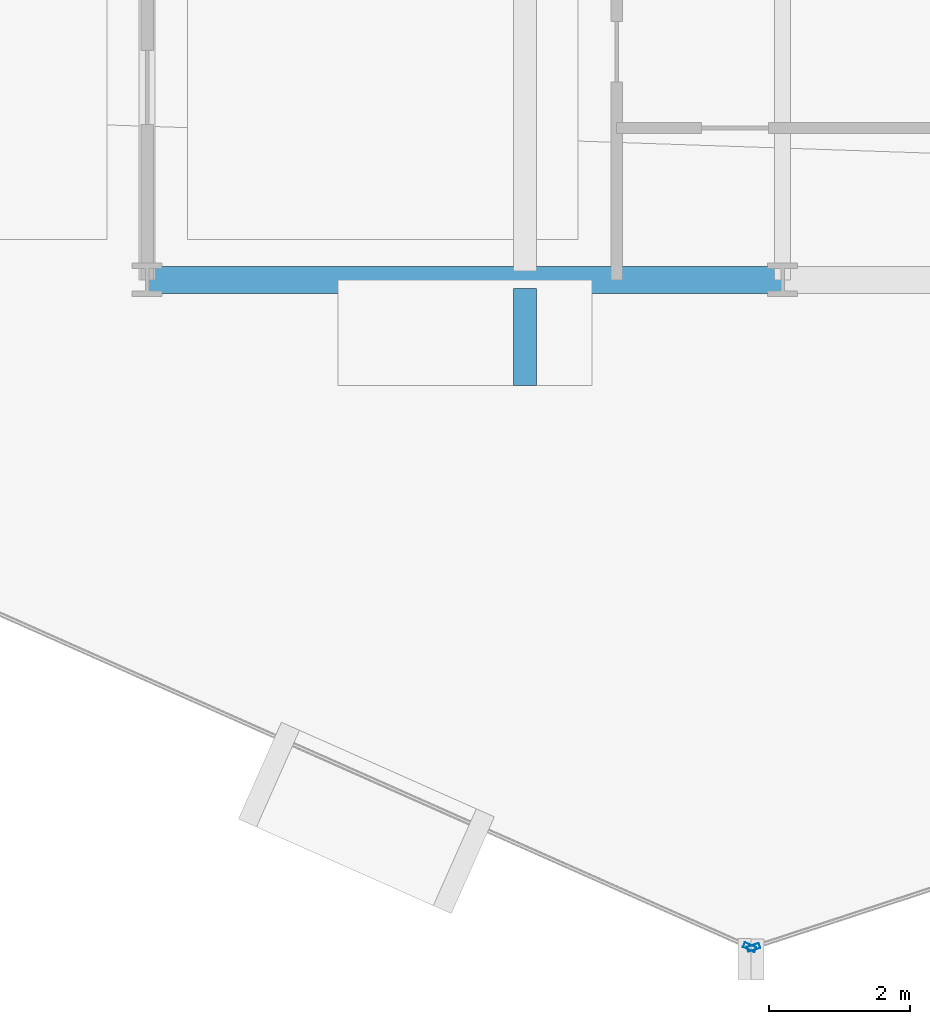
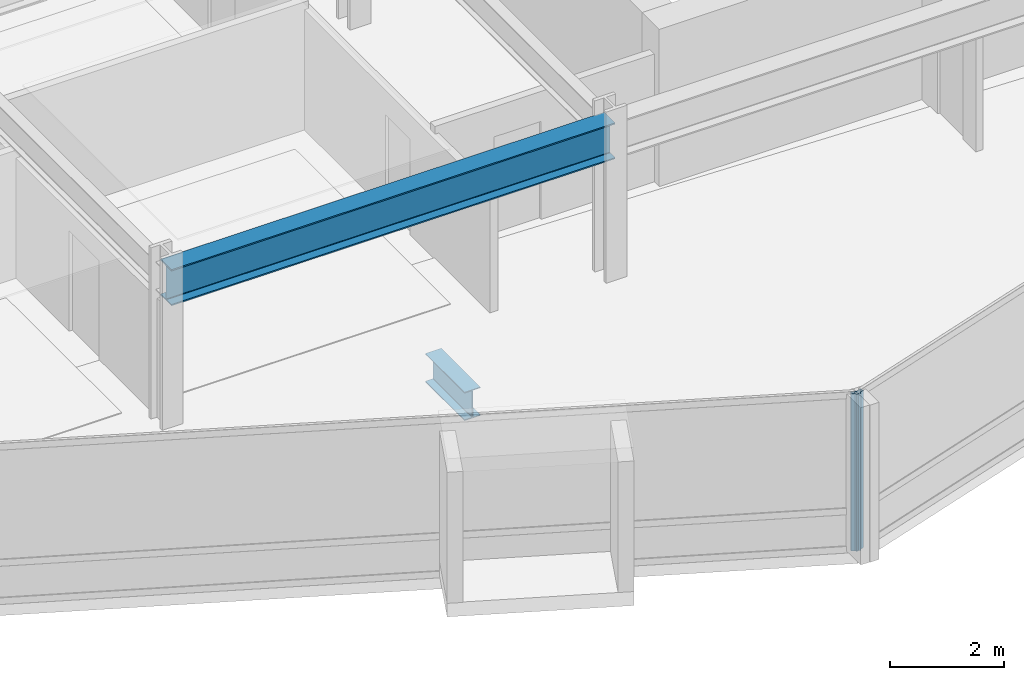
# One storey, part 4 of 35: 2 beams, 2 members, 2 elements without a shape of their own.
"""IFC4 building model written with IfcOpenShell, lengths in metres."""

from ifc_helpers import new_model, si_unit, direction, frame, origin, origin_2d, place, context, subcontext, project, spatial, hollow_rectangle, i_section, extrude, material, layer, layer_set, material_profile, profile_set, type_object, element, aggregate, save


model = new_model("IFC4")

# Units and contexts
model_context = context("Model", 3, precision=1e-05, world=origin(), true_north=direction((0.0, 1.0)))
body_context = subcontext(model_context, "Body", "Model", "MODEL_VIEW")
ifc_project = project(units=[si_unit("LENGTHUNIT", "METRE"), si_unit("AREAUNIT", "SQUARE_METRE"), si_unit("VOLUMEUNIT", "CUBIC_METRE"), si_unit("PLANEANGLEUNIT", "RADIAN"), si_unit("MASSUNIT", "GRAM", prefix="KILO")], contexts=[model_context])

# Site, building, storey
site_placement = place(None, origin())
site = spatial("IfcSite", under=ifc_project, at=site_placement, CompositionType="ELEMENT")
building_placement = place(site_placement, origin())
building = spatial("IfcBuilding", under=site, at=building_placement, Name="Solvaryn Broadcast Tower", CompositionType="ELEMENT")
storey_placement = place(building_placement, frame((0.0, 0.0, 80.39990234375)))
storey = spatial("IfcBuildingStorey", under=building, at=storey_placement, Name="L19", CompositionType="ELEMENT", Elevation=80.39990234375)

# Beams
ifc_material_1 = material(Name="Steel ASTM A992 Grade 50", Category="steel")
ifc_material_profile_1 = material_profile(ifc_material_1, i_section(OverallWidth=0.323974609375, OverallDepth=0.611083984375, WebThickness=0.0126953125, FlangeThickness=0.01904296875, FilletRadius=0.014892578125, at=origin_2d()))
ifc_profile_set_1 = profile_set([ifc_material_profile_1], Name="Steel ASTM A992 Grade 50")
beam_type_1 = type_object("IfcBeamType", Name="BM-CANT-TER", PredefinedType="BEAM", material=ifc_profile_set_1)
beam_1_placement = place(storey_placement, frame((23.35009765625, 8.875, -0.58544921875), z_axis=(0.0, -1.0, 0.0), x_axis=(1.0, 0.0, 0.0)))
element("IfcBeam", 1, at=beam_1_placement, inside=storey, type_object=beam_type_1, Name="L19 Bay-Box Cantilever Bracket 1", PredefinedType="BEAM", context=body_context, shape_type="SweptSolid", body=[
    extrude(i_section(OverallWidth=0.323974609375, OverallDepth=0.611083984375, WebThickness=0.0126953125, FlangeThickness=0.01904296875, FilletRadius=0.014892578125, at=origin_2d()), origin(), (0.0, 0.0, 1.0), 1.375),
])
ifc_material_2 = material(Name="Steel ASTM A992 Grade 50", Category="steel")
ifc_material_profile_2 = material_profile(ifc_material_2, i_section(OverallWidth=0.381103515625, OverallDepth=0.77294921875, WebThickness=0.0166015625, FlangeThickness=0.027099609375, FilletRadius=0.01806640625, at=origin_2d()))
ifc_profile_set_2 = profile_set([ifc_material_profile_2], Name="Steel ASTM A992 Grade 50")
beam_type_2 = type_object("IfcBeamType", Name="BM-SP1-W30X173", PredefinedType="USERDEFINED", material=ifc_profile_set_2)
beam_2_placement = place(storey_placement, frame((18.0, 9.0, 2.983642578125), z_axis=(1.0, 0.0, 0.0), x_axis=(0.0, 1.0, 0.0)))
element("IfcBeam", 2, at=beam_2_placement, inside=storey, type_object=beam_type_2, Name="L19 Spandrel Beam X (18-27 @ Y=9)", ObjectType="SPANDREL", PredefinedType="USERDEFINED", context=body_context, shape_type="SweptSolid", body=[
    extrude(i_section(OverallWidth=0.381103515625, OverallDepth=0.77294921875, WebThickness=0.0166015625, FlangeThickness=0.027099609375, FilletRadius=0.01806640625, at=origin_2d()), origin(), (0.0, 0.0, 1.0), 9.0),
])

# Curtain wall, member
ifc_material_3 = material(Name="Aluminium and Terracotta Unitised Curtain Wall", Category="masonry")
ifc_layer = layer(ifc_material_3, 0.199951171875)
ifc_layer_set = layer_set([ifc_layer], Name="CW-SYS2-LOWMID")
curtain_wall_type = type_object("IfcCurtainWallType", Name="CW-SYS2-LOWMID", PredefinedType="NOTDEFINED", material=ifc_layer_set)
curtain_wall_1_placement = place(storey_placement, origin())
curtain_wall_1 = element("IfcCurtainWall", 3, at=curtain_wall_1_placement, inside=storey, type_object=curtain_wall_type, Name="L19 Curtain Wall DR3", PredefinedType="NOTDEFINED")
ifc_material_4 = material(Name="Anodised Aluminium 6063-T6", Category="aluminium")
ifc_material_profile_3 = material_profile(ifc_material_4, hollow_rectangle(XDim=0.074951171875, YDim=0.179931640625, WallThickness=0.00390625, InnerFilletRadius=0.00390625, OuterFilletRadius=0.008056640625, at=origin_2d()))
ifc_profile_set_3 = profile_set([ifc_material_profile_3], Name="Anodised Aluminium 6063-T6")
member_type = type_object("IfcMemberType", Name="CW-MUL-180", PredefinedType="MULLION", material=ifc_profile_set_3)
member_1_placement = place(storey_placement, frame((26.532470703125, -0.451904296875, 0.0), z_axis=(0.0, 0.0, 1.0), x_axis=(0.405898286554, 0.913918257271, 0.0)))
member_1 = element("IfcMember", 4, at=member_1_placement, type_object=member_type, Name="CWS2 mullion 2", PredefinedType="MULLION", context=body_context, shape_type="SweptSolid", body=[
    extrude(hollow_rectangle(XDim=0.074951171875, YDim=0.179931640625, WallThickness=0.00390625, InnerFilletRadius=0.00390625, OuterFilletRadius=0.008056640625, at=origin_2d()), origin(), (0.0, 0.0, 1.0), 3.3701171875),
])
aggregate(curtain_wall_1, [member_1])

curtain_wall_2_placement = place(storey_placement, origin())
curtain_wall_2 = element("IfcCurtainWall", 5, at=curtain_wall_2_placement, inside=storey, type_object=curtain_wall_type, Name="L19 Curtain Wall DR4", PredefinedType="NOTDEFINED")
member_2_placement = place(storey_placement, frame((26.588623046875, -0.45458984375, 0.0), z_axis=(0.0, 0.0, 1.0), x_axis=(-0.311594044587, 0.950215318429, 0.0)))
member_2 = element("IfcMember", 6, at=member_2_placement, type_object=member_type, Name="CWS2 mullion 1", PredefinedType="MULLION", context=body_context, shape_type="SweptSolid", body=[
    extrude(hollow_rectangle(XDim=0.074951171875, YDim=0.179931640625, WallThickness=0.00390625, InnerFilletRadius=0.00390625, OuterFilletRadius=0.008056640625, at=origin_2d()), origin(), (0.0, 0.0, 1.0), 3.3701171875),
])
aggregate(curtain_wall_2, [member_2])

save(model, "model.ifc")
